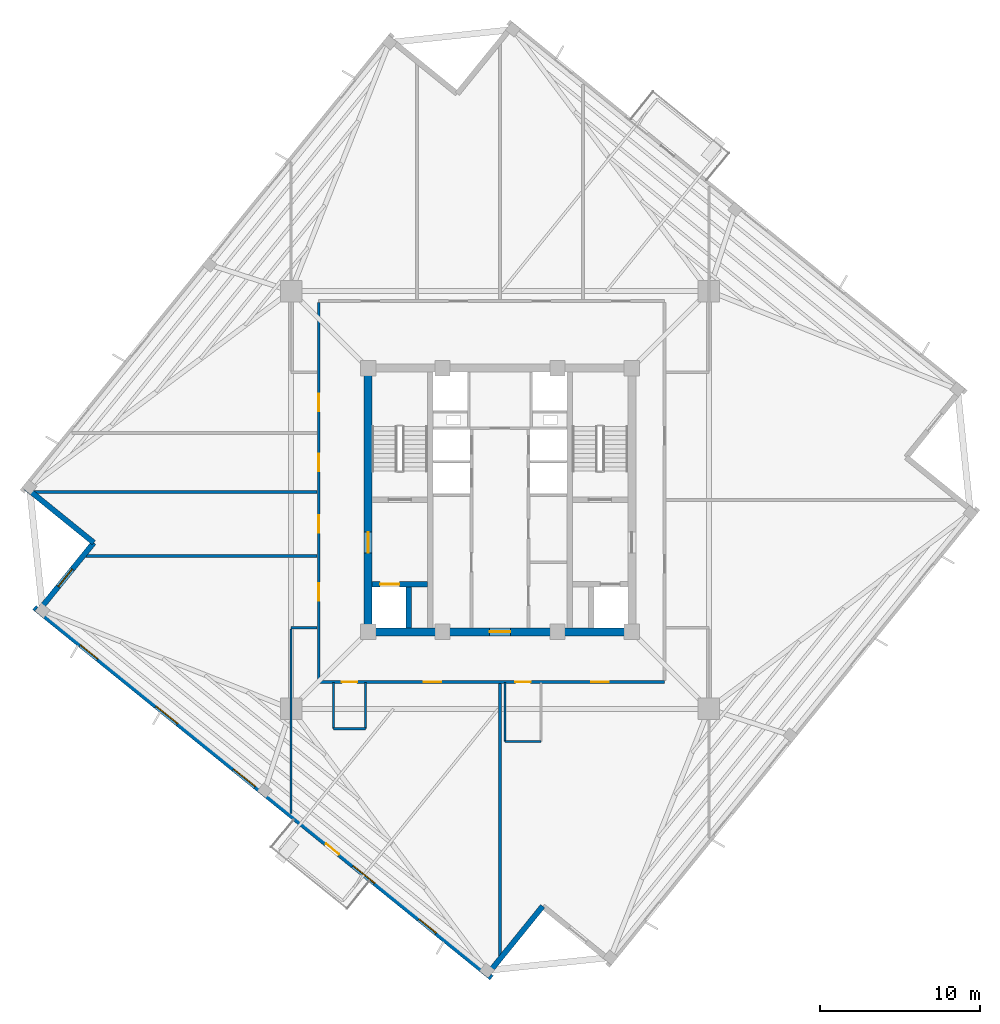
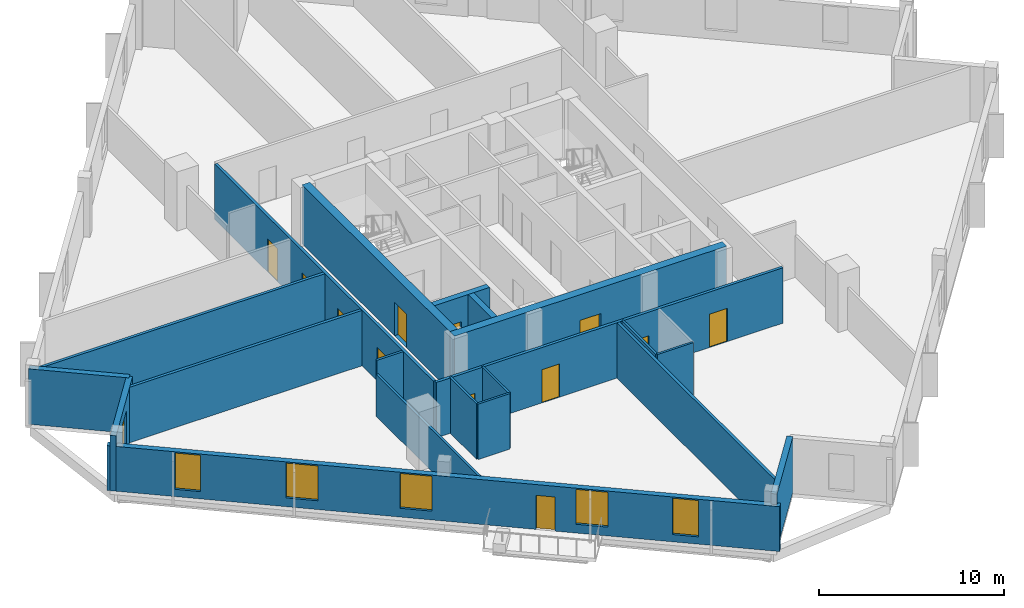
# One storey, part 3 of 10: 20 walls, 12 doors, 6 windows, 18 openings.
"""IFC4 building model written with IfcOpenShell, lengths in metres."""

from ifc_helpers import new_model, si_unit, direction, frame, frame_2d, origin, place, context, subcontext, project, spatial, rectangle, extrude, source, transform, mapped, material, layer, layer_set, type_object, element, fill, save


model = new_model("IFC4")

# Units and contexts
model_context = context("Model", 3, precision=1e-05, world=origin(), true_north=direction((0.0, 1.0)))
body_context = subcontext(model_context, "Body", "Model", "MODEL_VIEW")
ifc_project = project(units=[si_unit("LENGTHUNIT", "METRE"), si_unit("AREAUNIT", "SQUARE_METRE"), si_unit("VOLUMEUNIT", "CUBIC_METRE"), si_unit("PLANEANGLEUNIT", "RADIAN"), si_unit("MASSUNIT", "GRAM", prefix="KILO"), si_unit("THERMODYNAMICTEMPERATUREUNIT", "KELVIN")], contexts=[model_context])

# Site, building, storey
site_placement = place(None, origin())
site = spatial("IfcSite", under=ifc_project, at=site_placement, CompositionType="ELEMENT")
building_placement = place(site_placement, origin())
building = spatial("IfcBuilding", under=site, at=building_placement, Name="Kosmvard Interchange Tower", CompositionType="ELEMENT")
storey_placement = place(building_placement, frame((0.0, 0.0, 252.39990234375)))
storey = spatial("IfcBuildingStorey", under=building, at=storey_placement, Name="L61", CompositionType="ELEMENT", Elevation=252.39990234375)

# Walls
ifc_material_1 = material(Name="Acoustic gypsum partition system")
ifc_layer_1 = layer(ifc_material_1, 0.14990234375, Name="Acoustic gypsum partition system")
ifc_layer_set_1 = layer_set([ifc_layer_1], Name="Acoustic gypsum partition system")
wall_type_1 = type_object("IfcWallType", Name="Acoustic Suite & Meeting Partition 150", PredefinedType="PARTITIONING", material=ifc_layer_set_1)
wall_1_placement = place(storey_placement, frame((-11.445068359375, -8.0, 0.0), z_axis=(0.0, 0.0, 1.0), x_axis=(-1.0, 0.0, 0.0)))
element("IfcWall", 1, at=wall_1_placement, inside=storey, type_object=wall_type_1, Name="L61 Room Partition 13.1", PredefinedType="PARTITIONING", context=body_context, shape_type="SweptSolid", body=[
    extrude(rectangle(XDim=1.635986328125, YDim=0.14990234375, at=frame_2d((0.81787109375, 0.0))), origin(), (0.0, 0.0, 1.0), 3.66015625),
])
wall_2_placement = place(storey_placement, frame((-13.0810546875, -8.074951171875, 0.0), z_axis=(0.0, 0.0, 1.0), x_axis=(0.0, -1.0, 0.0)))
element("IfcWall", 2, at=wall_2_placement, inside=storey, type_object=wall_type_1, Name="L61 Room Partition 14.1", PredefinedType="PARTITIONING", context=body_context, shape_type="SweptSolid", body=[
    extrude(rectangle(XDim=11.5390625, YDim=0.14990234375, at=frame_2d((5.76953125, 0.0))), origin(), (0.0, 0.0, 1.0), 2.760009765625),
])

# Wall, openings, doors
ifc_material_2 = material(Name="Fire-rated gypsum partition system")
ifc_layer_2 = layer(ifc_material_2, 0.179931640625, Name="Fire-rated gypsum partition system")
ifc_layer_set_2 = layer_set([ifc_layer_2], Name="Fire-rated gypsum partition system")
wall_type_2 = type_object("IfcWallType", Name="Corridor & Hotel Compartment Partition 180", PredefinedType="PARTITIONING", material=ifc_layer_set_2)
wall_3_placement = place(storey_placement, frame((-11.35009765625, -11.39990234375, 0.0), z_axis=(0.0, 0.0, 1.0), x_axis=(1.0, 0.0, 0.0)))
wall_3 = element("IfcWall", 3, at=wall_3_placement, inside=storey, type_object=wall_type_2, Name="L61 Corridor Wall CS", PredefinedType="PARTITIONING", context=body_context, shape_type="SweptSolid", body=[
    extrude(rectangle(XDim=21.650146484375, YDim=0.179931640625, at=frame_2d((10.8251953125, 0.0))), origin(), (0.0, 0.0, 1.0), 3.66015625),
])
opening_1_placement = place(wall_3_placement, frame((1.455078125, 0.0, 0.0)))
opening_1 = element("IfcOpeningElement", 4, at=opening_1_placement, cuts=wall_3, Name="Opening L61-D01", PredefinedType="OPENING", context=body_context, shape_type="SweptSolid", body=[
    extrude(rectangle(XDim=0.949951171875, YDim=2.10009765625, at=frame_2d((0.47509765625, 1.050048828125))), frame((0.0, 0.10009765625, 0.0), z_axis=(0.0, -1.0, 0.0), x_axis=(1.0, 0.0, 0.0)), (0.0, 0.0, 1.0), 0.199951171875),
])
opening_2_placement = place(wall_3_placement, frame((12.31103515625, 0.0, 0.0)))
opening_2 = element("IfcOpeningElement", 5, at=opening_2_placement, cuts=wall_3, Name="Opening L61-D02", PredefinedType="OPENING", context=body_context, shape_type="SweptSolid", body=[
    extrude(rectangle(XDim=0.949951171875, YDim=2.10009765625, at=frame_2d((0.47509765625, 1.050048828125))), frame((0.0, 0.10009765625, 0.0), z_axis=(0.0, -1.0, 0.0), x_axis=(1.0, 0.0, 0.0)), (0.0, 0.0, 1.0), 0.199951171875),
])
opening_3_placement = place(wall_3_placement, frame((17.06005859375, 0.0, 0.0)))
opening_3 = element("IfcOpeningElement", 6, at=opening_3_placement, cuts=wall_3, Name="Opening L61-D11", PredefinedType="OPENING", context=body_context, shape_type="SweptSolid", body=[
    extrude(rectangle(XDim=1.10009765625, YDim=2.199951171875, at=frame_2d((0.550048828125, 1.10009765625))), frame((0.0, 0.10009765625, 0.0), z_axis=(0.0, -1.0, 0.0), x_axis=(1.0, 0.0, 0.0)), (0.0, 0.0, 1.0), 0.199951171875),
])
opening_4_placement = place(wall_3_placement, frame((6.583984375, 0.0, 0.0)))
opening_4 = element("IfcOpeningElement", 7, at=opening_4_placement, cuts=wall_3, Name="Opening L61-D12", PredefinedType="OPENING", context=body_context, shape_type="SweptSolid", body=[
    extrude(rectangle(XDim=1.10009765625, YDim=2.199951171875, at=frame_2d((0.550048828125, 1.10009765625))), frame((0.0, 0.10009765625, 0.0), z_axis=(0.0, -1.0, 0.0), x_axis=(1.0, 0.0, 0.0)), (0.0, 0.0, 1.0), 0.199951171875),
])
ifc_material_3 = material(Name="Laminated moisture-resistant timber", Category="wood")
door_type_1 = type_object("IfcDoorType", Name="Accessible Washroom Door 950x2100", OperationType="NOTDEFINED", PredefinedType="DOOR", material=ifc_material_3)
shared_shape_1 = source(origin(), body_context, "Body", "SweptSolid", [
    extrude(rectangle(XDim=0.949951171875, YDim=2.10009765625, at=frame_2d((0.47509765625, 1.050048828125))), frame((0.0, 0.02490234375, 0.0), z_axis=(0.0, -1.0, 0.0), x_axis=(1.0, 0.0, 0.0)), (0.0, 0.0, 1.0), 0.050048828125),
])
door_1_placement = place(opening_1_placement, frame((0.949951171875, 0.0, 0.0), z_axis=(0.0, 0.0, 1.0), x_axis=(-1.0, 0.0, 0.0)))
door_1 = element("IfcDoor", 8, at=door_1_placement, inside=storey, type_object=door_type_1, Name="L61 Accessible Toilet Door", OperationType="SINGLE_SWING_LEFT", OverallHeight=2.10009765625, OverallWidth=0.949951171875, PredefinedType="DOOR", context=body_context, shape_type="MappedRepresentation", body=[
    mapped(shared_shape_1, transform((0.0, 0.0, 0.0), scale=1.0)),
])
fill(opening_1, door_1)
door_2_placement = place(opening_2_placement, frame((0.949951171875, 0.0, 0.0), z_axis=(0.0, 0.0, 1.0), x_axis=(-1.0, 0.0, 0.0)))
door_2 = element("IfcDoor", 9, at=door_2_placement, inside=storey, type_object=door_type_1, Name="L61 Public Floor Washroom Door", OperationType="SINGLE_SWING_RIGHT", OverallHeight=2.10009765625, OverallWidth=0.949951171875, PredefinedType="DOOR", context=body_context, shape_type="MappedRepresentation", body=[
    mapped(shared_shape_1, transform((0.0, 0.0, 0.0), scale=1.0)),
])
fill(opening_2, door_2)
ifc_material_4 = material(Name="Engineered oak fire-rated timber", Category="wood")
door_type_2 = type_object("IfcDoorType", Name="Office Suite Entrance Door 1100x2200 FD30S", OperationType="NOTDEFINED", PredefinedType="DOOR", material=ifc_material_4)
shared_shape_2 = source(origin(), body_context, "Body", "SweptSolid", [
    extrude(rectangle(XDim=1.10009765625, YDim=2.199951171875, at=frame_2d((0.550048828125, 1.10009765625))), frame((0.0, 0.02490234375, 0.0), z_axis=(0.0, -1.0, 0.0), x_axis=(1.0, 0.0, 0.0)), (0.0, 0.0, 1.0), 0.050048828125),
])
door_3_placement = place(opening_3_placement, frame((1.10009765625, 0.0, 0.0), z_axis=(0.0, 0.0, 1.0), x_axis=(-1.0, 0.0, 0.0)))
door_3 = element("IfcDoor", 10, at=door_3_placement, inside=storey, type_object=door_type_2, Name="L61 Registry Vault Store Door", OperationType="SINGLE_SWING_LEFT", OverallHeight=2.199951171875, OverallWidth=1.10009765625, PredefinedType="DOOR", context=body_context, shape_type="MappedRepresentation", body=[
    mapped(shared_shape_2, transform((0.0, 0.0, 0.0), scale=1.0)),
])
fill(opening_3, door_3)
door_4_placement = place(opening_4_placement, frame((1.10009765625, 0.0, 0.0), z_axis=(0.0, 0.0, 1.0), x_axis=(-1.0, 0.0, 0.0)))
door_4 = element("IfcDoor", 11, at=door_4_placement, inside=storey, type_object=door_type_2, Name="L61 Partner Reading Study Door", OperationType="SINGLE_SWING_RIGHT", OverallHeight=2.199951171875, OverallWidth=1.10009765625, PredefinedType="DOOR", context=body_context, shape_type="MappedRepresentation", body=[
    mapped(shared_shape_2, transform((0.0, 0.0, 0.0), scale=1.0)),
])
fill(opening_4, door_4)

wall_4_placement = place(storey_placement, frame((-11.35009765625, -11.300048828125, 0.0), z_axis=(0.0, 0.0, 1.0), x_axis=(0.0, 1.0, 0.0)))
wall_4 = element("IfcWall", 12, at=wall_4_placement, inside=storey, type_object=wall_type_2, Name="L61 Corridor Wall CW", PredefinedType="PARTITIONING", context=body_context, shape_type="SweptSolid", body=[
    extrude(rectangle(XDim=23.650146484375, YDim=0.179931640625, at=frame_2d((11.8251953125, 0.0))), origin(), (0.0, 0.0, 1.0), 3.66015625),
])
opening_5_placement = place(wall_4_placement, frame((13.10009765625, 0.0, 0.0)))
opening_5 = element("IfcOpeningElement", 13, at=opening_5_placement, cuts=wall_4, Name="Opening L61-D03", PredefinedType="OPENING", context=body_context, shape_type="SweptSolid", body=[
    extrude(rectangle(XDim=1.10009765625, YDim=2.199951171875, at=frame_2d((0.550048828125, 1.10009765625))), frame((0.0, 0.10009765625, 0.0), z_axis=(0.0, -1.0, 0.0), x_axis=(1.0, 0.0, 0.0)), (0.0, 0.0, 1.0), 0.199951171875),
])
opening_6_placement = place(wall_4_placement, frame((16.85009765625, 0.0, 0.0)))
opening_6 = element("IfcOpeningElement", 14, at=opening_6_placement, cuts=wall_4, Name="Opening L61-D04", PredefinedType="OPENING", context=body_context, shape_type="SweptSolid", body=[
    extrude(rectangle(XDim=1.10009765625, YDim=2.199951171875, at=frame_2d((0.550048828125, 1.10009765625))), frame((0.0, 0.10009765625, 0.0), z_axis=(0.0, -1.0, 0.0), x_axis=(1.0, 0.0, 0.0)), (0.0, 0.0, 1.0), 0.199951171875),
])
opening_7_placement = place(wall_4_placement, frame((5.0, 0.0, 0.0)))
opening_7 = element("IfcOpeningElement", 15, at=opening_7_placement, cuts=wall_4, Name="Opening L61-D13", PredefinedType="OPENING", context=body_context, shape_type="SweptSolid", body=[
    extrude(rectangle(XDim=1.10009765625, YDim=2.199951171875, at=frame_2d((0.550048828125, 1.10009765625))), frame((0.0, 0.10009765625, 0.0), z_axis=(0.0, -1.0, 0.0), x_axis=(1.0, 0.0, 0.0)), (0.0, 0.0, 1.0), 0.199951171875),
])
opening_8_placement = place(wall_4_placement, frame((9.25, 0.0, 0.0)))
opening_8 = element("IfcOpeningElement", 16, at=opening_8_placement, cuts=wall_4, Name="Opening L61-D14", PredefinedType="OPENING", context=body_context, shape_type="SweptSolid", body=[
    extrude(rectangle(XDim=1.10009765625, YDim=2.199951171875, at=frame_2d((0.550048828125, 1.10009765625))), frame((0.0, 0.10009765625, 0.0), z_axis=(0.0, -1.0, 0.0), x_axis=(1.0, 0.0, 0.0)), (0.0, 0.0, 1.0), 0.199951171875),
])
door_5_placement = place(opening_5_placement, origin())
door_5 = element("IfcDoor", 17, at=door_5_placement, inside=storey, type_object=door_type_2, Name="L61 North Briefing Room 1 Door", OperationType="SINGLE_SWING_LEFT", OverallHeight=2.199951171875, OverallWidth=1.10009765625, PredefinedType="DOOR", context=body_context, shape_type="MappedRepresentation", body=[
    mapped(shared_shape_2, transform((0.0, 0.0, 0.0), scale=1.0)),
])
fill(opening_5, door_5)
door_6_placement = place(opening_6_placement, origin())
door_6 = element("IfcDoor", 18, at=door_6_placement, inside=storey, type_object=door_type_2, Name="L61 North Briefing Room 2 Door", OperationType="SINGLE_SWING_RIGHT", OverallHeight=2.199951171875, OverallWidth=1.10009765625, PredefinedType="DOOR", context=body_context, shape_type="MappedRepresentation", body=[
    mapped(shared_shape_2, transform((0.0, 0.0, 0.0), scale=1.0)),
])
fill(opening_6, door_6)
door_7_placement = place(opening_7_placement, origin())
door_7 = element("IfcDoor", 19, at=door_7_placement, inside=storey, type_object=door_type_2, Name="L61 North-West Corner Office Door", OperationType="SINGLE_SWING_LEFT", OverallHeight=2.199951171875, OverallWidth=1.10009765625, PredefinedType="DOOR", context=body_context, shape_type="MappedRepresentation", body=[
    mapped(shared_shape_2, transform((0.0, 0.0, 0.0), scale=1.0)),
])
fill(opening_7, door_7)
door_8_placement = place(opening_8_placement, origin())
door_8 = element("IfcDoor", 20, at=door_8_placement, inside=storey, type_object=door_type_2, Name="L61 West Chamber 4 Door", OperationType="SINGLE_SWING_RIGHT", OverallHeight=2.199951171875, OverallWidth=1.10009765625, PredefinedType="DOOR", context=body_context, shape_type="MappedRepresentation", body=[
    mapped(shared_shape_2, transform((0.0, 0.0, 0.0), scale=1.0)),
])
fill(opening_8, door_8)

# Walls
wall_5_placement = place(storey_placement, frame((0.0, -11.4951171875, 0.0), z_axis=(0.0, 0.0, 1.0), x_axis=(0.0, -1.0, 0.0)))
element("IfcWall", 21, at=wall_5_placement, inside=storey, type_object=wall_type_2, Name="L61 Room Partition 05.1", PredefinedType="PARTITIONING", context=body_context, shape_type="SweptSolid", body=[
    extrude(rectangle(XDim=17.0673828125, YDim=0.179931640625, at=frame_2d((8.53369140625, 0.0))), origin(), (0.0, 0.0, 1.0), 3.66015625),
])
wall_6_placement = place(storey_placement, frame((-11.445068359375, -3.5, 0.0), z_axis=(0.0, 0.0, 1.0), x_axis=(-1.0, 0.0, 0.0)))
element("IfcWall", 22, at=wall_6_placement, inside=storey, type_object=wall_type_2, Name="L61 Room Partition 06.1", PredefinedType="PARTITIONING", context=body_context, shape_type="SweptSolid", body=[
    extrude(rectangle(XDim=14.518798828125, YDim=0.179931640625, at=frame_2d((7.25927734375, 0.0))), origin(), (0.0, 0.0, 1.0), 3.66015625),
])
wall_7_placement = place(storey_placement, frame((-11.445068359375, 0.5, 0.0), z_axis=(0.0, 0.0, 1.0), x_axis=(-1.0, 0.0, 0.0)))
element("IfcWall", 23, at=wall_7_placement, inside=storey, type_object=wall_type_2, Name="L61 Room Partition 07.1", PredefinedType="PARTITIONING", context=body_context, shape_type="SweptSolid", body=[
    extrude(rectangle(XDim=17.73486328125, YDim=0.179931640625, at=frame_2d((8.867431640625, 0.0))), origin(), (0.0, 0.0, 1.0), 3.66015625),
])
ifc_material_5 = material(Name="Precast concrete C45/55", Category="concrete")
ifc_layer_3 = layer(ifc_material_5, 0.340087890625, Name="Precast concrete C45/55")
ifc_layer_set_3 = layer_set([ifc_layer_3], Name="Precast concrete C45/55")
wall_type_3 = type_object("IfcWallType", Name="Mid Tower Precast Pier Wall 340 C45/55", PredefinedType="STANDARD", material=ifc_layer_set_3)
wall_8_placement = place(storey_placement, frame((-29.703125, 0.78857421875, 0.0), z_axis=(0.0, 0.0, 1.0), x_axis=(0.77714355312, -0.629323365087, 0.0)))
element("IfcWall", 24, at=wall_8_placement, inside=storey, type_object=wall_type_3, Name="L61 Precast Facade Wall N-NW1", PredefinedType="STANDARD", context=body_context, shape_type="SweptSolid", body=[
    extrude(rectangle(XDim=5.499755859375, YDim=0.340087890625, at=frame_2d((2.75, 0.0))), origin(), (0.0, 0.0, 1.0), 3.66015625),
])

# Wall, opening, window
wall_9_placement = place(storey_placement, frame((-25.428955078125, -2.672607421875, 0.0), z_axis=(0.0, 0.0, 1.0), x_axis=(-0.629299794138, -0.777162640055, 0.0)))
wall_9 = element("IfcWall", 25, at=wall_9_placement, inside=storey, type_object=wall_type_3, Name="L61 Precast Facade Wall N-NW2", PredefinedType="STANDARD", context=body_context, shape_type="SweptSolid", body=[
    extrude(rectangle(XDim=5.669921875, YDim=0.340087890625, at=frame_2d((2.8349609375, 0.0))), origin(), (0.0, 0.0, 1.0), 3.66015625),
])
opening_9_placement = place(wall_9_placement, frame((2.135009765625, 0.0, 0.47998046875)))
opening_9 = element("IfcOpeningElement", 26, at=opening_9_placement, cuts=wall_9, Name="Opening L61-W22", PredefinedType="OPENING", context=body_context, shape_type="SweptSolid", body=[
    extrude(rectangle(XDim=1.39990234375, YDim=2.39990234375, at=frame_2d((0.699951171875, 1.199951171875))), frame((0.0, 0.18017578125, 0.0), z_axis=(0.0, -1.0, 0.0), x_axis=(1.0, 0.0, 0.0)), (0.0, 0.0, 1.0), 0.360107421875),
])
ifc_material_6 = material(Name="Low-E solar-control double glazing", Category="glass")
window_type_1 = type_object("IfcWindowType", Name="Notched Corner Feature Window 1400x2400", PartitioningType="SINGLE_PANEL", PredefinedType="WINDOW", material=ifc_material_6)
shared_shape_3 = source(origin(), body_context, "Body", "SweptSolid", [
    extrude(rectangle(XDim=1.39990234375, YDim=2.39990234375, at=frame_2d((0.699951171875, 1.199951171875))), frame((0.0, 0.030029296875, 0.0), z_axis=(0.0, -1.0, 0.0), x_axis=(1.0, 0.0, 0.0)), (0.0, 0.0, 1.0), 0.06005859375),
])
window_1_placement = place(opening_9_placement, origin())
window_1 = element("IfcWindow", 27, at=window_1_placement, inside=storey, type_object=window_type_1, Name="L61 Corner Notch Window 22", OverallHeight=2.39990234375, OverallWidth=1.39990234375, PartitioningType="SINGLE_PANEL", PredefinedType="WINDOW", context=body_context, shape_type="MappedRepresentation", body=[
    mapped(shared_shape_3, transform((0.0, 0.0, 0.0), scale=1.0)),
])
fill(opening_9, window_1)

# Wall, openings, door, windows
wall_10_placement = place(storey_placement, frame((-29.154296875, -6.73291015625, 0.0), z_axis=(0.0, 0.0, 1.0), x_axis=(0.77714192302, -0.629325378072, 0.0)))
wall_10 = element("IfcWall", 28, at=wall_10_placement, inside=storey, type_object=wall_type_3, Name="L61 Precast Facade Wall F-W", PredefinedType="STANDARD", context=body_context, shape_type="SweptSolid", body=[
    extrude(rectangle(XDim=36.840087890625, YDim=0.340087890625, at=frame_2d((18.419921875, 0.0))), origin(), (0.0, 0.0, 1.0), 2.960205078125),
])
opening_10_placement = place(wall_10_placement, frame((23.4951171875, 0.0, 0.0)))
opening_10 = element("IfcOpeningElement", 29, at=opening_10_placement, cuts=wall_10, Name="Opening L61-BDW", PredefinedType="OPENING", context=body_context, shape_type="SweptSolid", body=[
    extrude(rectangle(XDim=1.050048828125, YDim=2.25, at=frame_2d((0.52490234375, 1.125))), frame((0.0, 0.18017578125, 0.0), z_axis=(0.0, -1.0, 0.0), x_axis=(1.0, 0.0, 0.0)), (0.0, 0.0, 1.0), 0.360107421875),
])
opening_11_placement = place(wall_10_placement, frame((3.720703125, 0.0, 0.47998046875)))
opening_11 = element("IfcOpeningElement", 30, at=opening_11_placement, cuts=wall_10, Name="Opening L61-W16", PredefinedType="OPENING", context=body_context, shape_type="SweptSolid", body=[
    extrude(rectangle(XDim=1.39990234375, YDim=2.39990234375, at=frame_2d((0.699951171875, 1.199951171875))), frame((0.0, 0.18017578125, 0.0), z_axis=(0.0, -1.0, 0.0), x_axis=(1.0, 0.0, 0.0)), (0.0, 0.0, 1.0), 0.360107421875),
])
opening_12_placement = place(wall_10_placement, frame((9.80859375, 0.0, 0.580078125)))
opening_12 = element("IfcOpeningElement", 31, at=opening_12_placement, cuts=wall_10, Name="Opening L61-W17", PredefinedType="OPENING", context=body_context, shape_type="SweptSolid", body=[
    extrude(rectangle(XDim=1.75, YDim=2.300048828125, at=frame_2d((0.875, 1.14990234375))), frame((0.0, 0.18017578125, 0.0), z_axis=(0.0, -1.0, 0.0), x_axis=(1.0, 0.0, 0.0)), (0.0, 0.0, 1.0), 0.360107421875),
])
opening_13_placement = place(wall_10_placement, frame((16.05810546875, 0.0, 0.580078125)))
opening_13 = element("IfcOpeningElement", 32, at=opening_13_placement, cuts=wall_10, Name="Opening L61-W18", PredefinedType="OPENING", context=body_context, shape_type="SweptSolid", body=[
    extrude(rectangle(XDim=1.75, YDim=2.300048828125, at=frame_2d((0.875, 1.14990234375))), frame((0.0, 0.18017578125, 0.0), z_axis=(0.0, -1.0, 0.0), x_axis=(1.0, 0.0, 0.0)), (0.0, 0.0, 1.0), 0.360107421875),
])
opening_14_placement = place(wall_10_placement, frame((25.67626953125, 0.0, 0.580078125)))
opening_14 = element("IfcOpeningElement", 33, at=opening_14_placement, cuts=wall_10, Name="Opening L61-W19", PredefinedType="OPENING", context=body_context, shape_type="SweptSolid", body=[
    extrude(rectangle(XDim=1.75, YDim=2.300048828125, at=frame_2d((0.875, 1.14990234375))), frame((0.0, 0.18017578125, 0.0), z_axis=(0.0, -1.0, 0.0), x_axis=(1.0, 0.0, 0.0)), (0.0, 0.0, 1.0), 0.360107421875),
])
opening_15_placement = place(wall_10_placement, frame((30.982421875, 0.0, 0.47998046875)))
opening_15 = element("IfcOpeningElement", 34, at=opening_15_placement, cuts=wall_10, Name="Opening L61-W20", PredefinedType="OPENING", context=body_context, shape_type="SweptSolid", body=[
    extrude(rectangle(XDim=1.39990234375, YDim=2.39990234375, at=frame_2d((0.699951171875, 1.199951171875))), frame((0.0, 0.18017578125, 0.0), z_axis=(0.0, -1.0, 0.0), x_axis=(1.0, 0.0, 0.0)), (0.0, 0.0, 1.0), 0.360107421875),
])
ifc_material_7 = material(Name="Anodised aluminium and safety glass", Category="aluminium")
door_type_3 = type_object("IfcDoorType", Name="Tree-Balcony Glazed Door 1050x2250", OperationType="NOTDEFINED", PredefinedType="DOOR", material=ifc_material_7)
shared_shape_4 = source(origin(), body_context, "Body", "SweptSolid", [
    extrude(rectangle(XDim=1.050048828125, YDim=2.25, at=frame_2d((0.52490234375, 1.125))), frame((0.0, 0.02490234375, 0.0), z_axis=(0.0, -1.0, 0.0), x_axis=(1.0, 0.0, 0.0)), (0.0, 0.0, 1.0), 0.050048828125),
])
door_9_placement = place(opening_10_placement, origin())
door_9 = element("IfcDoor", 35, at=door_9_placement, inside=storey, type_object=door_type_3, Name="L61 Tree-Balcony Door BAL-L61-W", OperationType="SINGLE_SWING_RIGHT", OverallHeight=2.25, OverallWidth=1.050048828125, PredefinedType="DOOR", context=body_context, shape_type="MappedRepresentation", body=[
    mapped(shared_shape_4, transform((0.0, 0.0, 0.0), scale=1.0)),
])
fill(opening_10, door_9)
window_2_placement = place(opening_11_placement, origin())
window_2 = element("IfcWindow", 36, at=window_2_placement, inside=storey, type_object=window_type_1, Name="L61 Facade Punched Window 16", OverallHeight=2.39990234375, OverallWidth=1.39990234375, PartitioningType="SINGLE_PANEL", PredefinedType="WINDOW", context=body_context, shape_type="MappedRepresentation", body=[
    mapped(shared_shape_3, transform((0.0, 0.0, 0.0), scale=1.0)),
])
fill(opening_11, window_2)
window_3_placement = place(opening_15_placement, origin())
window_3 = element("IfcWindow", 37, at=window_3_placement, inside=storey, type_object=window_type_1, Name="L61 Facade Punched Window 20", OverallHeight=2.39990234375, OverallWidth=1.39990234375, PartitioningType="SINGLE_PANEL", PredefinedType="WINDOW", context=body_context, shape_type="MappedRepresentation", body=[
    mapped(shared_shape_3, transform((0.0, 0.0, 0.0), scale=1.0)),
])
fill(opening_15, window_3)
window_type_2 = type_object("IfcWindowType", Name="Zone 4 Suite Punched Window 1750x2300", PartitioningType="SINGLE_PANEL", PredefinedType="WINDOW", material=ifc_material_6)
shared_shape_5 = source(origin(), body_context, "Body", "SweptSolid", [
    extrude(rectangle(XDim=1.75, YDim=2.300048828125, at=frame_2d((0.875, 1.14990234375))), frame((0.0, 0.030029296875, 0.0), z_axis=(0.0, -1.0, 0.0), x_axis=(1.0, 0.0, 0.0)), (0.0, 0.0, 1.0), 0.06005859375),
])
window_4_placement = place(opening_12_placement, origin())
window_4 = element("IfcWindow", 38, at=window_4_placement, inside=storey, type_object=window_type_2, Name="L61 Facade Punched Window 17", OverallHeight=2.300048828125, OverallWidth=1.75, PartitioningType="SINGLE_PANEL", PredefinedType="WINDOW", context=body_context, shape_type="MappedRepresentation", body=[
    mapped(shared_shape_5, transform((0.0, 0.0, 0.0), scale=1.0)),
])
fill(opening_12, window_4)
window_5_placement = place(opening_13_placement, origin())
window_5 = element("IfcWindow", 39, at=window_5_placement, inside=storey, type_object=window_type_2, Name="L61 Facade Punched Window 18", OverallHeight=2.300048828125, OverallWidth=1.75, PartitioningType="SINGLE_PANEL", PredefinedType="WINDOW", context=body_context, shape_type="MappedRepresentation", body=[
    mapped(shared_shape_5, transform((0.0, 0.0, 0.0), scale=1.0)),
])
fill(opening_13, window_5)
window_6_placement = place(opening_14_placement, origin())
window_6 = element("IfcWindow", 40, at=window_6_placement, inside=storey, type_object=window_type_2, Name="L61 Facade Punched Window 19", OverallHeight=2.300048828125, OverallWidth=1.75, PartitioningType="SINGLE_PANEL", PredefinedType="WINDOW", context=body_context, shape_type="MappedRepresentation", body=[
    mapped(shared_shape_5, transform((0.0, 0.0, 0.0), scale=1.0)),
])
fill(opening_14, window_6)

# Wall
wall_11_placement = place(storey_placement, frame((-0.78857421875, -29.703125, 0.0), z_axis=(0.0, 0.0, 1.0), x_axis=(0.629323365087, 0.77714355312, 0.0)))
element("IfcWall", 41, at=wall_11_placement, inside=storey, type_object=wall_type_3, Name="L61 Precast Facade Wall N-SW1", PredefinedType="STANDARD", context=body_context, shape_type="SweptSolid", body=[
    extrude(rectangle(XDim=5.499755859375, YDim=0.340087890625, at=frame_2d((2.75, 0.0))), origin(), (0.0, 0.0, 1.0), 3.66015625),
])

# Wall, opening, door
ifc_material_8 = material(Name="Concrete C60/75", Category="concrete")
ifc_layer_4 = layer(ifc_material_8, 0.360107421875, Name="Concrete C60/75")
ifc_layer_set_4 = layer_set([ifc_layer_4], Name="Concrete C60/75")
wall_type_4 = type_object("IfcWallType", Name="Stair & Lift Shaft Shear Wall 360 C60/75", PredefinedType="SHEAR", material=ifc_layer_set_4)
wall_12_placement = place(storey_placement, frame((-8.0, -5.280029296875, 0.0), z_axis=(0.0, 0.0, 1.0), x_axis=(1.0, 0.0, 0.0)))
wall_12 = element("IfcWall", 42, at=wall_12_placement, inside=storey, type_object=wall_type_4, Name="L61 Shaft Shear Wall SW-FF1", PredefinedType="SHEAR", context=body_context, shape_type="SweptSolid", body=[
    extrude(rectangle(XDim=3.4599609375, YDim=0.360107421875, at=frame_2d((1.72998046875, 0.0))), origin(), (0.0, 0.0, 1.0), 3.900146484375),
])
opening_16_placement = place(wall_12_placement, frame((0.5, 0.0, 0.0)))
opening_16 = element("IfcOpeningElement", 43, at=opening_16_placement, cuts=wall_12, Name="Opening LD-FF-1-L61", PredefinedType="OPENING", context=body_context, shape_type="SweptSolid", body=[
    extrude(rectangle(XDim=1.199951171875, YDim=2.25, at=frame_2d((0.60009765625, 1.125))), frame((0.0, 0.18994140625, 0.0), z_axis=(0.0, -1.0, 0.0), x_axis=(1.0, 0.0, 0.0)), (0.0, 0.0, 1.0), 0.380126953125),
])
ifc_material_9 = material(Name="Brushed stainless steel sliding leaf", Category="steel")
door_type_4 = type_object("IfcDoorType", Name="Firefighting Lift Sliding Landing Door 1200x2250 EI120", OperationType="DOUBLE_DOOR_SLIDING", PredefinedType="DOOR", material=ifc_material_9)
shared_shape_6 = source(origin(), body_context, "Body", "SweptSolid", [
    extrude(rectangle(XDim=1.199951171875, YDim=2.25, at=frame_2d((0.60009765625, 1.125))), frame((0.0, 0.02490234375, 0.0), z_axis=(0.0, -1.0, 0.0), x_axis=(1.0, 0.0, 0.0)), (0.0, 0.0, 1.0), 0.050048828125),
])
door_10_placement = place(opening_16_placement, origin())
door_10 = element("IfcDoor", 44, at=door_10_placement, inside=storey, type_object=door_type_4, Name="Lift FF-1 Landing Door L61", OperationType="DOUBLE_DOOR_SLIDING", OverallHeight=2.25, OverallWidth=1.199951171875, PredefinedType="DOOR", context=body_context, shape_type="MappedRepresentation", body=[
    mapped(shared_shape_6, transform((0.0, 0.0, 0.0), scale=1.0)),
])
fill(opening_16, door_10)

# Wall
wall_13_placement = place(storey_placement, frame((-5.7099609375, -8.0, 0.0), z_axis=(0.0, 0.0, 1.0), x_axis=(0.0, 1.0, 0.0)))
element("IfcWall", 45, at=wall_13_placement, inside=storey, type_object=wall_type_4, Name="L61 Shaft Shear Wall SW-SM1", PredefinedType="SHEAR", context=body_context, shape_type="SweptSolid", body=[
    extrude(rectangle(XDim=2.5400390625, YDim=0.360107421875, at=frame_2d((1.27001953125, 0.0))), origin(), (0.0, 0.0, 1.0), 3.900146484375),
])

# Wall, opening, door
ifc_layer_5 = layer(ifc_material_8, 0.5, Name="Concrete C60/75")
ifc_layer_set_5 = layer_set([ifc_layer_5], Name="Concrete C60/75")
wall_type_5 = type_object("IfcWallType", Name="Upper Core Shear Wall 500 C60/75", PredefinedType="SHEAR", material=ifc_layer_set_5)
wall_14_placement = place(storey_placement, frame((-8.5, -8.25, 0.0), z_axis=(0.0, 0.0, 1.0), x_axis=(1.0, 0.0, 0.0)))
wall_14 = element("IfcWall", 46, at=wall_14_placement, inside=storey, type_object=wall_type_5, Name="L61 Core Shear Wall CW-S", PredefinedType="SHEAR", context=body_context, shape_type="SweptSolid", body=[
    extrude(rectangle(XDim=17.0, YDim=0.5, at=frame_2d((8.5, 0.0))), origin(), (0.0, 0.0, 1.0), 3.900146484375),
])
opening_17_placement = place(wall_14_placement, frame((7.85009765625, 0.0, 0.0)))
opening_17 = element("IfcOpeningElement", 47, at=opening_17_placement, cuts=wall_14, Name="Opening L61-LD0", PredefinedType="OPENING", context=body_context, shape_type="SweptSolid", body=[
    extrude(rectangle(XDim=1.300048828125, YDim=2.199951171875, at=frame_2d((0.64990234375, 1.10009765625))), frame((0.0, 0.260009765625, 0.0), z_axis=(0.0, -1.0, 0.0), x_axis=(1.0, 0.0, 0.0)), (0.0, 0.0, 1.0), 0.52001953125),
])
ifc_material_10 = material(Name="Painted fire-rated steel leaf", Category="steel")
door_type_5 = type_object("IfcDoorType", Name="Firefighting Lobby Door 1300x2200 EI60", OperationType="NOTDEFINED", PredefinedType="DOOR", material=ifc_material_10)
shared_shape_7 = source(origin(), body_context, "Body", "SweptSolid", [
    extrude(rectangle(XDim=1.300048828125, YDim=2.199951171875, at=frame_2d((0.64990234375, 1.10009765625))), frame((0.0, 0.02490234375, 0.0), z_axis=(0.0, -1.0, 0.0), x_axis=(1.0, 0.0, 0.0)), (0.0, 0.0, 1.0), 0.050048828125),
])
door_11_placement = place(opening_17_placement, frame((1.300048828125, 0.0, 0.0), z_axis=(0.0, 0.0, 1.0), x_axis=(-1.0, 0.0, 0.0)))
door_11 = element("IfcDoor", 48, at=door_11_placement, inside=storey, type_object=door_type_5, Name="L61 Passenger Lift Lobby South Door", OperationType="SINGLE_SWING_RIGHT", OverallHeight=2.199951171875, OverallWidth=1.300048828125, PredefinedType="DOOR", context=body_context, shape_type="MappedRepresentation", body=[
    mapped(shared_shape_7, transform((0.0, 0.0, 0.0), scale=1.0)),
])
fill(opening_17, door_11)

wall_15_placement = place(storey_placement, frame((-8.25, -8.0, 0.0), z_axis=(0.0, 0.0, 1.0), x_axis=(0.0, 1.0, 0.0)))
wall_15 = element("IfcWall", 49, at=wall_15_placement, inside=storey, type_object=wall_type_5, Name="L61 Core Shear Wall CW-W", PredefinedType="SHEAR", context=body_context, shape_type="SweptSolid", body=[
    extrude(rectangle(XDim=16.0, YDim=0.5, at=frame_2d((8.0, 0.0))), origin(), (0.0, 0.0, 1.0), 3.900146484375),
])
opening_18_placement = place(wall_15_placement, frame((4.68994140625, 0.0, 0.0)))
opening_18 = element("IfcOpeningElement", 50, at=opening_18_placement, cuts=wall_15, Name="Opening L61-FD1", PredefinedType="OPENING", context=body_context, shape_type="SweptSolid", body=[
    extrude(rectangle(XDim=1.300048828125, YDim=2.199951171875, at=frame_2d((0.64990234375, 1.10009765625))), frame((0.0, 0.260009765625, 0.0), z_axis=(0.0, -1.0, 0.0), x_axis=(1.0, 0.0, 0.0)), (0.0, 0.0, 1.0), 0.52001953125),
])
door_12_placement = place(opening_18_placement, frame((1.300048828125, 0.0, 0.0), z_axis=(0.0, 0.0, 1.0), x_axis=(-1.0, 0.0, 0.0)))
door_12 = element("IfcDoor", 51, at=door_12_placement, inside=storey, type_object=door_type_5, Name="L61 Firefighting Lobby West Door", OperationType="SINGLE_SWING_LEFT", OverallHeight=2.199951171875, OverallWidth=1.300048828125, PredefinedType="DOOR", context=body_context, shape_type="MappedRepresentation", body=[
    mapped(shared_shape_7, transform((0.0, 0.0, 0.0), scale=1.0)),
])
fill(opening_18, door_12)

# Walls
ifc_material_11 = material(Name="Moisture-resistant gypsum partition")
ifc_layer_6 = layer(ifc_material_11, 0.135009765625, Name="Moisture-resistant gypsum partition")
ifc_layer_set_6 = layer_set([ifc_layer_6], Name="Moisture-resistant gypsum partition")
wall_type_6 = type_object("IfcWallType", Name="Wet Room Moisture-Resistant Partition 135", PredefinedType="PARTITIONING", material=ifc_layer_set_6)
wall_16_placement = place(storey_placement, frame((-10.419921875, -14.320068359375, 0.0), z_axis=(0.0, 0.0, 1.0), x_axis=(1.0, 0.0, 0.0)))
element("IfcWall", 52, at=wall_16_placement, inside=storey, type_object=wall_type_6, Name="L61 Washroom Partition AWC1-S", PredefinedType="PARTITIONING", context=body_context, shape_type="SweptSolid", body=[
    extrude(rectangle(XDim=2.0, YDim=0.135009765625, at=frame_2d((1.0, 0.0))), origin(), (0.0, 0.0, 1.0), 3.66015625),
])
for number, where, z_axis, x_axis, name in (
    (53, (-8.419921875, -14.320068359375, 0.0), (0.0, 0.0, 1.0), (0.0, 1.0, 0.0), "L61 Washroom Partition AWC1-E"),
    (54, (-10.419921875, -14.320068359375, 0.0), (0.0, 0.0, 1.0), (0.0, 1.0, 0.0), "L61 Washroom Partition AWC1-W"),
):
    element("IfcWall", number, at=place(storey_placement, frame(where, z_axis=z_axis, x_axis=x_axis)), inside=storey, type_object=wall_type_6, Name=name, PredefinedType="PARTITIONING", context=body_context, shape_type="SweptSolid", body=[
        extrude(rectangle(XDim=2.900146484375, YDim=0.135009765625, at=frame_2d((1.4501953125, 0.0))), origin(), (0.0, 0.0, 1.0), 3.66015625),
    ])
wall_17_placement = place(storey_placement, frame((0.31103515625, -15.1201171875, 0.0), z_axis=(0.0, 0.0, 1.0), x_axis=(1.0, 0.0, 0.0)))
element("IfcWall", 55, at=wall_17_placement, inside=storey, type_object=wall_type_6, Name="L61 Washroom Partition WC1-S", PredefinedType="PARTITIONING", context=body_context, shape_type="SweptSolid", body=[
    extrude(rectangle(XDim=2.25, YDim=0.135009765625, at=frame_2d((1.125, 0.0))), origin(), (0.0, 0.0, 1.0), 3.66015625),
])
wall_18_placement = place(storey_placement, frame((0.31103515625, -15.1201171875, 0.0), z_axis=(0.0, 0.0, 1.0), x_axis=(0.0, 1.0, 0.0)))
element("IfcWall", 56, at=wall_18_placement, inside=storey, type_object=wall_type_6, Name="L61 Washroom Partition WC1-W", PredefinedType="PARTITIONING", context=body_context, shape_type="SweptSolid", body=[
    extrude(rectangle(XDim=3.7001953125, YDim=0.135009765625, at=frame_2d((1.85009765625, 0.0))), origin(), (0.0, 0.0, 1.0), 3.66015625),
])

save(model, "model.ifc")
